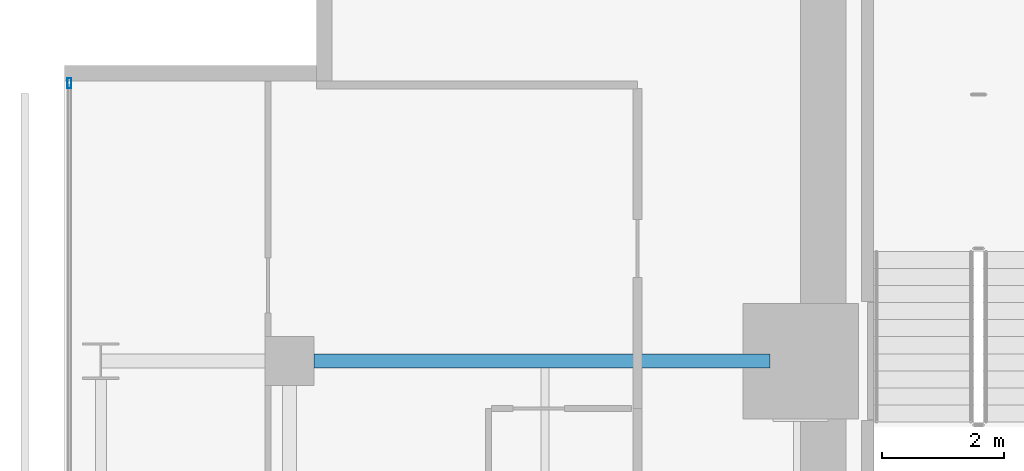
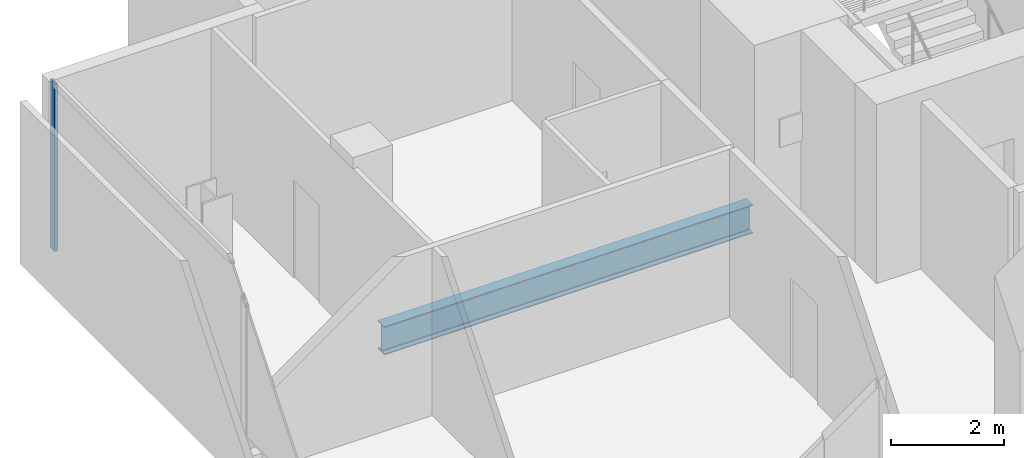
# One storey, part 20 of 33: 1 beam, 1 member, 1 element without a shape of its own.
"""IFC4 building model written with IfcOpenShell, lengths in metres."""

import ifcopenshell
import ifcopenshell.guid

model = None  # the IFC model being written
_history = None  # IfcOwnerHistory: only IFC2X3 demands one
_inside = {}  # id of a spatial element -> (the spatial element, [elements in it])
_under = {}  # id of a project, library or spatial element -> (it, [spatial elements below it])
_declared = {}  # id of a project -> (the project, [libraries it declares])
_typed = {}  # id of a type object -> (the type object, [elements of that type])
_made_of = {}  # id of a material, layer set ... -> (it, [elements and type objects made of it])


def new_model(schema):
    """Start an empty IFC model of exactly this schema.

    Asked for "IFC4X3", IfcOpenShell would pick the latest addendum, in which some entities
    have other attributes; the version numbers below select the first issue.
    IFC2X3 requires an IfcOwnerHistory on every rooted entity: one is made here for all.
    """
    global model, _history
    if schema == "IFC4X3":
        model = ifcopenshell.file(schema_version=(4, 3, 0, 0))
    else:
        model = ifcopenshell.file(schema=schema)
    _inside.clear()
    _under.clear()
    _declared.clear()
    _typed.clear()
    _made_of.clear()
    _history = None
    if model.schema == "IFC2X3":
        org = make("IfcOrganization", Name="unknown")
        user = make(
            "IfcPersonAndOrganization",
            ThePerson=make("IfcPerson", FamilyName="unknown"),
            TheOrganization=org,
        )
        app = make(
            "IfcApplication",
            ApplicationDeveloper=org,
            Version="unknown",
            ApplicationFullName="unknown",
            ApplicationIdentifier="unknown",
        )
        _history = make(
            "IfcOwnerHistory",
            OwningUser=user,
            OwningApplication=app,
            ChangeAction="ADDED",
            CreationDate=0,
        )
    return model


def make(cls, **values):
    """One entity of the class cls with the attributes given. An attribute that is None is left unset."""
    return model.create_entity(
        cls, **{name: value for name, value in values.items() if value is not None}
    )


def rooted(cls, **values):
    """An entity with a GlobalId (a new one), such as an element, a storey or a relation."""
    return make(cls, GlobalId=ifcopenshell.guid.new(), OwnerHistory=_history, **values)


def si_unit(unit_type, name, prefix=None):
    """IfcSIUnit, for example si_unit("LENGTHUNIT", "METRE", prefix="MILLI")."""
    return make("IfcSIUnit", UnitType=unit_type, Prefix=prefix, Name=name)


def assignment(units):
    """IfcUnitAssignment: the units of a project."""
    return None if units is None else make("IfcUnitAssignment", Units=units)


def point(xyz):
    """IfcCartesianPoint."""
    return None if xyz is None else make("IfcCartesianPoint", Coordinates=xyz)


def direction(xyz):
    """IfcDirection."""
    return None if xyz is None else make("IfcDirection", DirectionRatios=xyz)


def frame(location, z_axis=None, x_axis=None):
    """IfcAxis2Placement3D, a coordinate frame: its origin and axes. An axis left out is left unset."""
    return make(
        "IfcAxis2Placement3D",
        Location=point(location),
        Axis=direction(z_axis),
        RefDirection=direction(x_axis),
    )


def frame_2d(location, x_axis=None):
    """IfcAxis2Placement2D, a coordinate frame in the plane: its origin and x axis."""
    return make(
        "IfcAxis2Placement2D", Location=point(location), RefDirection=direction(x_axis)
    )


def origin():
    """The frame at (0, 0, 0) with its axes left unset."""
    return frame((0.0, 0.0, 0.0))


def origin_2d():
    """The frame at (0, 0) in the plane with its x axis left unset."""
    return frame_2d((0.0, 0.0))


def place(relative_to, where):
    """IfcLocalPlacement: puts the frame where relative to a parent placement (None: the world)."""
    return make(
        "IfcLocalPlacement", PlacementRelTo=relative_to, RelativePlacement=where
    )


def context(
    kind, dimensions, precision=None, world=None, true_north=None, identifier=None
):
    """IfcGeometricRepresentationContext, for example the 3D "Model" context."""
    return make(
        "IfcGeometricRepresentationContext",
        ContextIdentifier=identifier,
        ContextType=kind,
        CoordinateSpaceDimension=dimensions,
        Precision=precision,
        WorldCoordinateSystem=world,
        TrueNorth=true_north,
    )


def subcontext(parent, identifier, kind, view, scale=None):
    """IfcGeometricRepresentationSubContext, for example "Body" below "Model"."""
    return make(
        "IfcGeometricRepresentationSubContext",
        ContextIdentifier=identifier,
        ContextType=kind,
        ParentContext=parent,
        TargetScale=scale,
        TargetView=view,
    )


def project(units=None, contexts=None):
    """IfcProject with its units and contexts."""
    return rooted(
        "IfcProject",
        Name="project",
        RepresentationContexts=contexts,
        UnitsInContext=assignment(units),
    )


def spatial(cls, under=None, at=None, **own):
    """A site, building, storey or space (cls), placed at a placement, below another one or the project."""
    s = rooted(cls, ObjectPlacement=at, **own)
    if under is not None:
        _under.setdefault(under.id(), (under, []))[1].append(s)
    return s


def profile(cls, at=None, kind="AREA", **sizes):
    """A parametric profile (cls). Its sizes go by their IFC names, for example OverallWidth=200.0."""
    return make(cls, ProfileType=kind, Position=at, **sizes)


def hollow_rectangle(**sizes):
    """IfcRectangleHollowProfileDef."""
    return profile("IfcRectangleHollowProfileDef", **sizes)


def i_section(**sizes):
    """IfcIShapeProfileDef."""
    return profile("IfcIShapeProfileDef", **sizes)


def extrude(swept, where, along, depth):
    """IfcExtrudedAreaSolid: the profile swept, set in the frame where, extruded along a direction by depth."""
    return make(
        "IfcExtrudedAreaSolid",
        SweptArea=swept,
        Position=where,
        ExtrudedDirection=direction(along),
        Depth=depth,
    )


def shape(context_of_items, identifier, shape_type, items):
    """IfcShapeRepresentation: the items that make up one representation, for example the "Body"."""
    return make(
        "IfcShapeRepresentation",
        ContextOfItems=context_of_items,
        RepresentationIdentifier=identifier,
        RepresentationType=shape_type,
        Items=items,
    )


def material(Name=None, Category=None):
    """IfcMaterial."""
    return make("IfcMaterial", Name=Name, Category=Category)


def layer(
    of_material, thickness, ventilated=None, Name=None, Category=None, Priority=None
):
    """IfcMaterialLayer: one layer of a wall or slab, of a material (None: an air gap)."""
    return make(
        "IfcMaterialLayer",
        Material=of_material,
        LayerThickness=thickness,
        IsVentilated=ventilated,
        Name=Name,
        Category=Category,
        Priority=Priority,
    )


def layer_set(layers, Name=None):
    """IfcMaterialLayerSet."""
    return make("IfcMaterialLayerSet", MaterialLayers=layers, LayerSetName=Name)


def material_profile(
    of_material, cross_section, Name=None, Category=None, Priority=None
):
    """IfcMaterialProfile: a cross section and its material."""
    return make(
        "IfcMaterialProfile",
        Name=Name,
        Material=of_material,
        Profile=cross_section,
        Priority=Priority,
        Category=Category,
    )


def profile_set(profiles, Name=None, composite=None):
    """IfcMaterialProfileSet."""
    return make(
        "IfcMaterialProfileSet",
        Name=Name,
        MaterialProfiles=profiles,
        CompositeProfile=composite,
    )


def made_of(thing, what):
    """Note that an element or type object is made of a material, layer set ...; save() writes the relation."""
    if what is not None:
        _made_of.setdefault(what.id(), (what, []))[1].append(thing)
    return thing


def type_object(cls, material=None, **own):
    """A type object (cls), such as IfcWallType, which elements share."""
    return made_of(rooted(cls, **own), material)


def element(
    cls,
    number,
    at=None,
    inside=None,
    cuts=None,
    type_object=None,
    material=None,
    context=None,
    identifier="Body",
    shape_type=None,
    held_by="IfcProductDefinitionShape",
    body=None,
    shapes=None,
    **own,
):
    """One element of the class cls, such as IfcWall. Its Tag is "e" and its number.

    at: its placement. inside: the storey or other place that contains it. cuts: it is an
    opening in that element (IfcRelVoidsElement). A single representation is given by context,
    identifier, shape_type and body (its items); several are given by shapes. held_by: the class
    of the entity that holds the representations. save() writes the other relations.
    """
    e = rooted(cls, Tag="e%d" % number, ObjectPlacement=at, **own)
    if body is not None:
        shapes = [shape(context, identifier, shape_type, body)]
    if shapes is not None:
        e.Representation = make(held_by, Representations=shapes)
    if inside is not None:
        _inside.setdefault(inside.id(), (inside, []))[1].append(e)
    if cuts is not None:
        rooted(
            "IfcRelVoidsElement", RelatingBuildingElement=cuts, RelatedOpeningElement=e
        )
    if type_object is not None:
        _typed.setdefault(type_object.id(), (type_object, []))[1].append(e)
    return made_of(e, material)


def aggregate(whole, parts):
    """IfcRelAggregates: a whole, such as a stair, and the parts it consists of."""
    return rooted("IfcRelAggregates", RelatingObject=whole, RelatedObjects=parts)


def save(model, path):
    """Write the relations noted so far, then the file.

    IfcRelAggregates (storeys below a building ...), IfcRelContainedInSpatialStructure (elements
    in a storey), IfcRelDefinesByType, IfcRelAssociatesMaterial and IfcRelDeclares: one each for
    every whole, place, type object, material and project.
    """
    for whole, parts in _under.values():
        aggregate(whole, parts)
    for where, things in _inside.values():
        rooted(
            "IfcRelContainedInSpatialStructure",
            RelatedElements=things,
            RelatingStructure=where,
        )
    for kind, things in _typed.values():
        rooted("IfcRelDefinesByType", RelatedObjects=things, RelatingType=kind)
    for what, things in _made_of.values():
        rooted("IfcRelAssociatesMaterial", RelatedObjects=things, RelatingMaterial=what)
    for by, libraries in _declared.values():
        rooted("IfcRelDeclares", RelatingContext=by, RelatedDefinitions=libraries)
    model.write(path)


model = new_model("IFC4")

# Units and contexts
model_context = context("Model", 3, precision=1e-05, world=origin(), true_north=direction((0.0, 1.0)))
body_context = subcontext(model_context, "Body", "Model", "MODEL_VIEW")
ifc_project = project(units=[si_unit("LENGTHUNIT", "METRE"), si_unit("AREAUNIT", "SQUARE_METRE"), si_unit("VOLUMEUNIT", "CUBIC_METRE"), si_unit("PLANEANGLEUNIT", "RADIAN"), si_unit("MASSUNIT", "GRAM", prefix="KILO")], contexts=[model_context])

# Site, building, storey
site_placement = place(None, origin())
site = spatial("IfcSite", under=ifc_project, at=site_placement, CompositionType="ELEMENT")
building_placement = place(site_placement, origin())
building = spatial("IfcBuilding", under=site, at=building_placement, Name="Maruvema Waterfront Hotel and Observation Tower", CompositionType="ELEMENT")
storey_placement = place(building_placement, frame((0.0, 0.0, 142.800048828125)))
storey = spatial("IfcBuildingStorey", under=building, at=storey_placement, Name="L34", CompositionType="ELEMENT", Elevation=142.800048828125)

# Curtain wall, member
ifc_material_1 = material(Name="Anodised bronze aluminium and solar-control low-E IGU", Category="aluminium")
ifc_layer = layer(ifc_material_1, 0.159912109375, Name="Zone 2 Amber Inner Thermal Curtain Wall System CW-03")
ifc_layer_set = layer_set([ifc_layer], Name="Anodised bronze aluminium and solar-control low-E IGU")
curtain_wall_type = type_object("IfcCurtainWallType", Name="Zone 2 Amber Inner Thermal Curtain Wall System CW-03", PredefinedType="USERDEFINED", material=ifc_layer_set)
curtain_wall_placement = place(storey_placement, origin())
curtain_wall = element("IfcCurtainWall", 1, at=curtain_wall_placement, inside=storey, type_object=curtain_wall_type, Name="L34 Curtain Wall CW-L34-W", ObjectType="UNITISED CURTAIN WALL", PredefinedType="USERDEFINED")
ifc_material_2 = material(Name="Anodised architectural bronze aluminium", Category="aluminium")
ifc_material_profile_1 = material_profile(ifc_material_2, hollow_rectangle(XDim=0.06494140625, YDim=0.1650390625, WallThickness=0.00390625, at=origin_2d()), Name="ALU-M65x165")
ifc_profile_set_1 = profile_set([ifc_material_profile_1], Name="Anodised architectural bronze aluminium")
member_type = type_object("IfcMemberType", Name="Curtain Wall Primary Mullion ALU-M65x165", PredefinedType="MULLION", material=ifc_profile_set_1)
member_placement = place(storey_placement, frame((13.179931640625, 49.570068359375, 0.0), z_axis=(0.0, 0.0, 1.0), x_axis=(1.0, 0.0, 0.0)))
member = element("IfcMember", 2, at=member_placement, type_object=member_type, Name="CW-03 mullion 1", PredefinedType="MULLION", context=body_context, shape_type="SweptSolid", body=[
    extrude(hollow_rectangle(XDim=0.06494140625, YDim=0.1650390625, WallThickness=0.00390625, at=origin_2d()), origin(), (0.0, 0.0, 1.0), 3.60986328125),
])
aggregate(curtain_wall, [member])

# Beam
ifc_material_3 = material(Name="Steel ASTM A572 Grade 50", Category="steel")
ifc_material_profile_2 = material_profile(ifc_material_3, i_section(OverallWidth=0.22900390625, OverallDepth=0.612060546875, WebThickness=0.011962890625, FlangeThickness=0.01953125, FilletRadius=0.01806640625, at=origin_2d()), Name="W610x125.0")
ifc_profile_set_2 = profile_set([ifc_material_profile_2], Name="Steel ASTM A572 Grade 50")
beam_type = type_object("IfcBeamType", Name="Primary Floor Girder W610x125.0", PredefinedType="BEAM", material=ifc_profile_set_2)
beam_placement = place(storey_placement, frame((17.199951171875, 45.0, -0.546142578125), z_axis=(1.0, 0.0, 0.0), x_axis=(0.0, 1.0, 0.0)))
element("IfcBeam", 3, at=beam_placement, inside=storey, type_object=beam_type, Name="L34 Floor Girder EW-31", PredefinedType="BEAM", context=body_context, shape_type="SweptSolid", body=[
    extrude(i_section(OverallWidth=0.22900390625, OverallDepth=0.612060546875, WebThickness=0.011962890625, FlangeThickness=0.01953125, FilletRadius=0.01806640625, at=origin_2d()), origin(), (0.0, 0.0, 1.0), 7.5),
])

save(model, "model.ifc")
